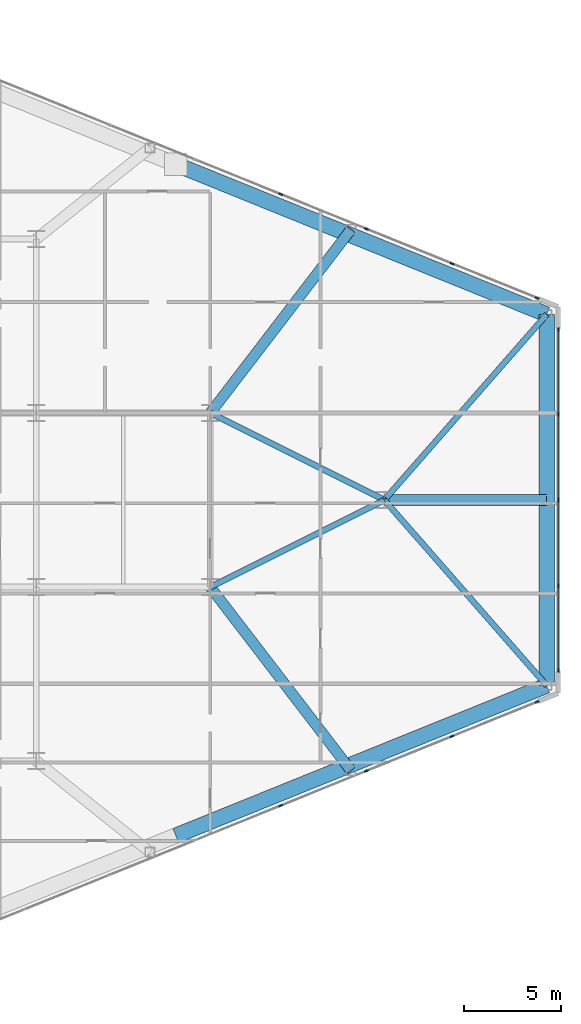
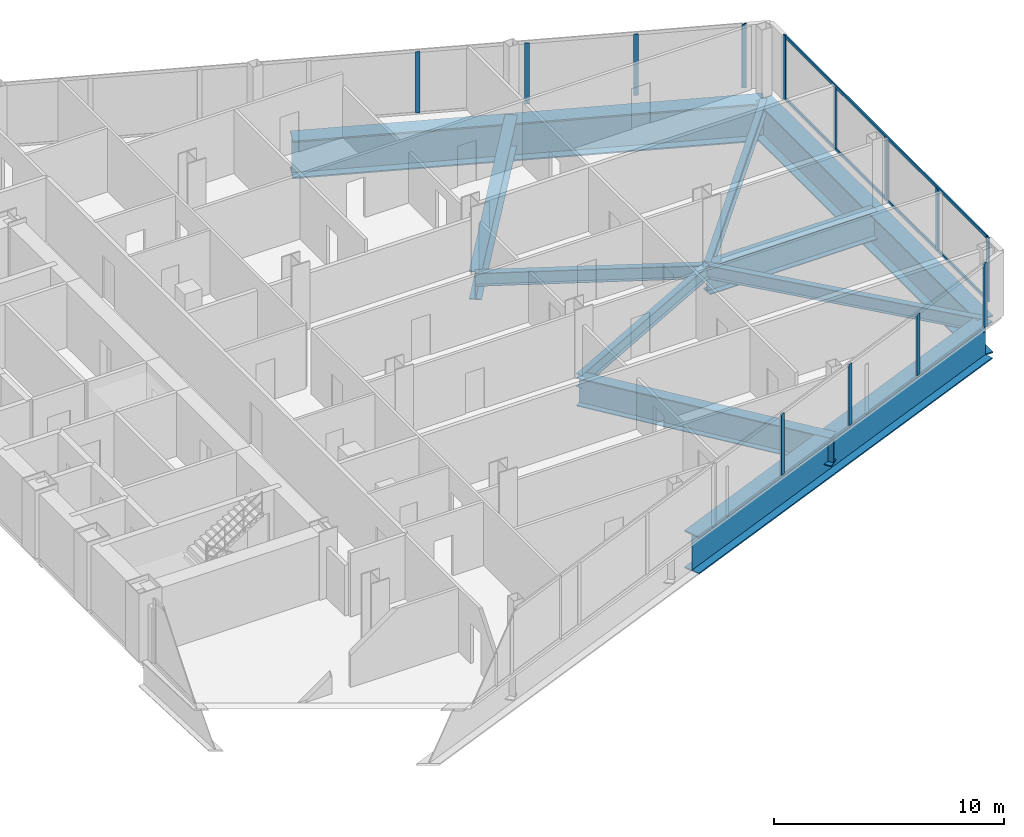
# One storey, part 15 of 26: 15 members, 10 beams, 3 elements without a shape of their own.
"""IFC4 building model written with IfcOpenShell, lengths in metres."""

from ifc_helpers import new_model, si_unit, direction, frame, origin, origin_2d, place, context, subcontext, project, spatial, rectangle, i_section, extrude, source, transform, mapped, material, layer, layer_set, material_profile, profile_set, type_object, type_shapes, element, aggregate, save


model = new_model("IFC4")

# Units and contexts
model_context = context("Model", 3, precision=1e-05, world=origin(), true_north=direction((0.0, 1.0)))
body_context = subcontext(model_context, "Body", "Model", "MODEL_VIEW")
ifc_project = project(units=[si_unit("LENGTHUNIT", "METRE"), si_unit("AREAUNIT", "SQUARE_METRE"), si_unit("VOLUMEUNIT", "CUBIC_METRE"), si_unit("PLANEANGLEUNIT", "RADIAN"), si_unit("MASSUNIT", "GRAM", prefix="KILO")], contexts=[model_context])

# Site, building, storey
site_placement = place(None, origin())
site = spatial("IfcSite", under=ifc_project, at=site_placement, CompositionType="ELEMENT")
building_placement = place(site_placement, origin())
building = spatial("IfcBuilding", under=site, at=building_placement, Name="Seokmaru Belvedere", CompositionType="ELEMENT")
storey_placement = place(building_placement, frame((0.0, 0.0, 18.89990234375)))
storey = spatial("IfcBuildingStorey", under=building, at=storey_placement, Name="L04", CompositionType="ELEMENT", Elevation=18.89990234375)

# Beams
ifc_material_1 = material(Name="Steel SM355 (355 MPa)", Category="steel")
ifc_material_profile_1 = material_profile(ifc_material_1, i_section(OverallWidth=0.300048828125, OverallDepth=0.699951171875, WebThickness=0.012939453125, FlangeThickness=0.02392578125, at=origin_2d()), Name="H-700x300x13x24")
ifc_profile_set_1 = profile_set([ifc_material_profile_1], Name="Steel SM355 (355 MPa)")
beam_type_1 = type_object("IfcBeamType", Name="Primary Floor Girder H-700", PredefinedType="BEAM", material=ifc_profile_set_1)
shared_shape_1 = source(origin(), body_context, "Body", "SweptSolid", [
    extrude(i_section(OverallWidth=0.300048828125, OverallDepth=0.699951171875, WebThickness=0.012939453125, FlangeThickness=0.02392578125, at=origin_2d()), origin(), (0.0, 0.0, 1.0), 10.062255859375),
])
for number, where, z_axis, x_axis, name in (
    (1, (54.5, -4.5, -0.56982421875), (0.894427191, 0.4472135955, 0.0), (-0.4472135955, 0.894427191, 0.0), "L04 E Apex Converging Girder 1"),
    (2, (54.5, 4.5, -0.56982421875), (0.894427191, -0.4472135955, 0.0), (0.4472135955, 0.894427191, 0.0), "L04 E Apex Converging Girder 2"),
):
    element("IfcBeam", number, at=place(storey_placement, frame(where, z_axis=z_axis, x_axis=x_axis)), inside=storey, type_object=beam_type_1, Name=name, PredefinedType="BEAM", context=body_context, shape_type="MappedRepresentation", body=[
        mapped(shared_shape_1, transform((0.0, 0.0, 0.0), scale=1.0)),
    ])
ifc_material_2 = material(Name="Steel HSA650 (650 MPa)", Category="steel")
ifc_material_profile_2 = material_profile(ifc_material_2, i_section(OverallWidth=0.800048828125, OverallDepth=2.0, WebThickness=0.0400390625, FlangeThickness=0.070068359375, at=origin_2d()), Name="BH-2000x800x40x70")
ifc_profile_set_2 = profile_set([ifc_material_profile_2], Name="Steel HSA650 (650 MPa)")
beam_type_2 = type_object("IfcBeamType", Name="Sky-Gate Transfer Truss Chord Girder BH-2000", PredefinedType="BEAM", material=ifc_profile_set_2)
shared_shape_2 = source(origin(), body_context, "Body", "SweptSolid", [
    extrude(i_section(OverallWidth=0.800048828125, OverallDepth=2.0, WebThickness=0.0400390625, FlangeThickness=0.070068359375, at=origin_2d()), origin(), (0.0, 0.0, 1.0), 20.6962890625),
])
for number, where, z_axis, x_axis, name in (
    (3, (52.715576171875, -17.360595703125, -1.219970703125), (0.92695003666, 0.37518479385, 0.0), (-0.37518479385, 0.92695003666, 0.0), "L04 E Podium Flank Transfer Girder S-B"),
    (4, (52.715576171875, 17.360595703125, -1.219970703125), (0.92695003666, -0.37518479385, 0.0), (0.37518479385, 0.92695003666, 0.0), "L04 E Podium Flank Transfer Girder N-B"),
):
    element("IfcBeam", number, at=place(storey_placement, frame(where, z_axis=z_axis, x_axis=x_axis)), inside=storey, type_object=beam_type_2, Name=name, PredefinedType="BEAM", context=body_context, shape_type="MappedRepresentation", body=[
        mapped(shared_shape_2, transform((0.0, 0.0, 0.0), scale=1.0)),
    ])
shared_shape_3 = source(origin(), body_context, "Body", "SweptSolid", [
    extrude(i_section(OverallWidth=0.800048828125, OverallDepth=2.0, WebThickness=0.0400390625, FlangeThickness=0.070068359375, at=origin_2d()), origin(), (0.0, 0.0, 1.0), 19.19140625),
])
type_shapes(beam_type_2, [shared_shape_2, shared_shape_3])
beam_1_placement = place(storey_placement, frame((71.89990234375, -9.595703125, -1.219970703125), z_axis=(0.0, 1.0, 0.0), x_axis=(-1.0, 0.0, 0.0)))
element("IfcBeam", 5, at=beam_1_placement, inside=storey, type_object=beam_type_2, Name="L04 E Podium Apex Transfer Girder", PredefinedType="BEAM", context=body_context, shape_type="MappedRepresentation", body=[
    mapped(shared_shape_3, transform((0.0, 0.0, 0.0), scale=1.0)),
])
ifc_material_profile_3 = material_profile(ifc_material_2, i_section(OverallWidth=0.550048828125, OverallDepth=1.5, WebThickness=0.028076171875, FlangeThickness=0.044921875, at=origin_2d()), Name="BH-1500x550x28x45")
ifc_profile_set_3 = profile_set([ifc_material_profile_3], Name="Steel HSA650 (650 MPa)")
beam_type_3 = type_object("IfcBeamType", Name="Setback Transfer Girder BH-1500", PredefinedType="BEAM", material=ifc_profile_set_3)
shared_shape_4 = source(origin(), body_context, "Body", "SweptSolid", [
    extrude(i_section(OverallWidth=0.550048828125, OverallDepth=1.5, WebThickness=0.028076171875, FlangeThickness=0.044921875, at=origin_2d()), origin(), (0.0, 0.0, 1.0), 11.96337890625),
])
for number, where, z_axis, x_axis, name in (
    (6, (61.779052734375, -13.994140625, -0.969970703125), (-0.608442682624, 0.793597821294, 0.0), (-0.793597821294, -0.608442682624, 0.0), "L04 E Flank Radial Floor Girder S-3"),
    (7, (61.779052734375, 13.994140625, -0.969970703125), (-0.608442682624, -0.793597821294, 0.0), (0.793597821294, -0.608442682624, 0.0), "L04 E Flank Radial Floor Girder N-3"),
):
    element("IfcBeam", number, at=place(storey_placement, frame(where, z_axis=z_axis, x_axis=x_axis)), inside=storey, type_object=beam_type_3, Name=name, PredefinedType="BEAM", context=body_context, shape_type="MappedRepresentation", body=[
        mapped(shared_shape_4, transform((0.0, 0.0, 0.0), scale=1.0)),
    ])
shared_shape_5 = source(origin(), body_context, "Body", "SweptSolid", [
    extrude(i_section(OverallWidth=0.300048828125, OverallDepth=0.699951171875, WebThickness=0.012939453125, FlangeThickness=0.02392578125, at=origin_2d()), origin(), (0.0, 0.0, 1.0), 12.7529296875),
])
type_shapes(beam_type_1, [shared_shape_1, shared_shape_5])
for number, where, z_axis, x_axis, name in (
    (8, (71.89990234375, -9.595703125, -0.56982421875), (-0.658667231479, 0.752434368019, 0.0), (-0.752434368019, -0.658667231479, 0.0), "L04 E Apex Radial Floor Girder 1"),
    (9, (71.89990234375, 9.595703125, -0.56982421875), (-0.658667231479, -0.752434368019, 0.0), (0.752434368019, -0.658667231479, 0.0), "L04 E Apex Radial Floor Girder 2"),
):
    element("IfcBeam", number, at=place(storey_placement, frame(where, z_axis=z_axis, x_axis=x_axis)), inside=storey, type_object=beam_type_1, Name=name, PredefinedType="BEAM", context=body_context, shape_type="MappedRepresentation", body=[
        mapped(shared_shape_5, transform((0.0, 0.0, 0.0), scale=1.0)),
    ])
shared_shape_6 = source(origin(), body_context, "Body", "SweptSolid", [
    extrude(i_section(OverallWidth=0.550048828125, OverallDepth=1.5, WebThickness=0.028076171875, FlangeThickness=0.044921875, at=origin_2d()), origin(), (0.0, 0.0, 1.0), 8.39990234375),
])
type_shapes(beam_type_3, [shared_shape_4, shared_shape_6])
beam_2_placement = place(storey_placement, frame((71.89990234375, 0.0, -0.969970703125), z_axis=(-1.0, 0.0, 0.0), x_axis=(0.0, -1.0, 0.0)))
element("IfcBeam", 10, at=beam_2_placement, inside=storey, type_object=beam_type_3, Name="L04 E Apex Center Radial Girder", PredefinedType="BEAM", context=body_context, shape_type="MappedRepresentation", body=[
    mapped(shared_shape_6, transform((0.0, 0.0, 0.0), scale=1.0)),
])

# Curtain wall, member
ifc_material_3 = material(Name="Bronze Triple Insulating Glass", Category="glass")
ifc_layer = layer(ifc_material_3, 0.2099609375)
ifc_layer_set = layer_set([ifc_layer], Name="Bronze Triple Insulating Glass")
curtain_wall_type = type_object("IfcCurtainWallType", Name="Low-Rise Faceted Crystal Curtain Wall System CW-2", PredefinedType="NOTDEFINED", material=ifc_layer_set)
curtain_wall_1_placement = place(storey_placement, origin())
curtain_wall_1 = element("IfcCurtainWall", 11, at=curtain_wall_1_placement, inside=storey, type_object=curtain_wall_type, Name="L04 Curtain Wall EF1", PredefinedType="NOTDEFINED")
ifc_material_4 = material(Name="Anodised Bronze Aluminium", Category="aluminium")
ifc_material_profile_4 = material_profile(ifc_material_4, rectangle(XDim=0.074951171875, YDim=0.2099609375, at=origin_2d()), Name="CW-M-75x210")
ifc_profile_set_4 = profile_set([ifc_material_profile_4], Name="Anodised Bronze Aluminium")
member_type_1 = type_object("IfcMemberType", Name="Bronze Unitised Mullion 75x210", PredefinedType="MULLION", material=ifc_profile_set_4)
shared_shape_7 = source(origin(), body_context, "Body", "SweptSolid", [
    extrude(rectangle(XDim=0.074951171875, YDim=0.2099609375, at=origin_2d()), origin(), (0.0, 0.0, 1.0), 3.380126953125),
])
member_1_placement = place(storey_placement, frame((71.399169921875, -10.445556640625, 0.0), z_axis=(0.0, 0.0, 1.0), x_axis=(-0.375192321888, 0.926946989637, 0.0)))
member_1 = element("IfcMember", 12, at=member_1_placement, type_object=member_type_1, Name="CW:L04:EF1 Mullion 10", PredefinedType="MULLION", context=body_context, shape_type="MappedRepresentation", body=[
    mapped(shared_shape_7, transform((0.0, 0.0, 0.0), scale=1.0)),
])

# Curtain wall, members
curtain_wall_2_placement = place(storey_placement, origin())
curtain_wall_2 = element("IfcCurtainWall", 13, at=curtain_wall_2_placement, inside=storey, type_object=curtain_wall_type, Name="L04 Curtain Wall EF2", PredefinedType="NOTDEFINED")
member_2_placement = place(storey_placement, frame((72.5, -8.8125, 0.0), z_axis=(0.0, 0.0, 1.0), x_axis=(-1.0, 0.0, 0.0)))
member_2 = element("IfcMember", 14, at=member_2_placement, type_object=member_type_1, Name="CW:L04:EF2 Mullion 1", PredefinedType="MULLION", context=body_context, shape_type="MappedRepresentation", body=[
    mapped(shared_shape_7, transform((0.0, 0.0, 0.0), scale=1.0)),
])
member_3_placement = place(storey_placement, frame((72.5, 8.8125, 0.0), z_axis=(0.0, 0.0, 1.0), x_axis=(-1.0, 0.0, 0.0)))
member_3 = element("IfcMember", 15, at=member_3_placement, type_object=member_type_1, Name="CW:L04:EF2 Mullion 5", PredefinedType="MULLION", context=body_context, shape_type="MappedRepresentation", body=[
    mapped(shared_shape_7, transform((0.0, 0.0, 0.0), scale=1.0)),
])

# Curtain wall, member
curtain_wall_3_placement = place(storey_placement, origin())
curtain_wall_3 = element("IfcCurtainWall", 16, at=curtain_wall_3_placement, inside=storey, type_object=curtain_wall_type, Name="L04 Curtain Wall EF3", PredefinedType="NOTDEFINED")
member_4_placement = place(storey_placement, frame((71.399169921875, 10.445556640625, 0.0), z_axis=(0.0, 0.0, 1.0), x_axis=(-0.375192321888, -0.926946989637, 0.0)))
member_4 = element("IfcMember", 17, at=member_4_placement, type_object=member_type_1, Name="CW:L04:EF3 Mullion 1", PredefinedType="MULLION", context=body_context, shape_type="MappedRepresentation", body=[
    mapped(shared_shape_7, transform((0.0, 0.0, 0.0), scale=1.0)),
])

# Member
shared_shape_8 = source(origin(), body_context, "Body", "SweptSolid", [
    extrude(rectangle(XDim=0.074951171875, YDim=0.2099609375, at=origin_2d()), origin(), (0.0, 0.0, 1.0), 3.239990234375),
])
type_shapes(member_type_1, [shared_shape_7, shared_shape_8])
member_5_placement = place(storey_placement, frame((58.144775390625, -15.810546875, 0.070068359375), z_axis=(0.0, 0.0, 1.0), x_axis=(-0.375192321888, 0.926946989637, 0.0)))
member_5 = element("IfcMember", 18, at=member_5_placement, type_object=member_type_1, Name="CW:L04:EF1 Mullion 7", PredefinedType="MULLION", context=body_context, shape_type="MappedRepresentation", body=[
    mapped(shared_shape_8, transform((0.0, 0.0, 0.0), scale=1.0)),
])

member_6_placement = place(storey_placement, frame((62.574462890625, -14.017578125, 0.070068359375), z_axis=(0.0, 0.0, 1.0), x_axis=(-0.375192321888, 0.926946989637, 0.0)))
member_6 = element("IfcMember", 19, at=member_6_placement, type_object=member_type_1, Name="CW:L04:EF1 Mullion 8", PredefinedType="MULLION", context=body_context, shape_type="MappedRepresentation", body=[
    mapped(shared_shape_8, transform((0.0, 0.0, 0.0), scale=1.0)),
])

member_7_placement = place(storey_placement, frame((67.004150390625, -12.224609375, 0.070068359375), z_axis=(0.0, 0.0, 1.0), x_axis=(-0.375192321888, 0.926946989637, 0.0)))
member_7 = element("IfcMember", 20, at=member_7_placement, type_object=member_type_1, Name="CW:L04:EF1 Mullion 9", PredefinedType="MULLION", context=body_context, shape_type="MappedRepresentation", body=[
    mapped(shared_shape_8, transform((0.0, 0.0, 0.0), scale=1.0)),
])

aggregate(curtain_wall_1, [member_5, member_6, member_7, member_1])

member_8_placement = place(storey_placement, frame((72.5, -4.425048828125, 0.070068359375), z_axis=(0.0, 0.0, 1.0), x_axis=(-1.0, 0.0, 0.0)))
member_8 = element("IfcMember", 21, at=member_8_placement, type_object=member_type_1, Name="CW:L04:EF2 Mullion 2", PredefinedType="MULLION", context=body_context, shape_type="MappedRepresentation", body=[
    mapped(shared_shape_8, transform((0.0, 0.0, 0.0), scale=1.0)),
])

member_9_placement = place(storey_placement, frame((72.5, 0.0, 0.070068359375), z_axis=(0.0, 0.0, 1.0), x_axis=(-1.0, 0.0, 0.0)))
member_9 = element("IfcMember", 22, at=member_9_placement, type_object=member_type_1, Name="CW:L04:EF2 Mullion 3", PredefinedType="MULLION", context=body_context, shape_type="MappedRepresentation", body=[
    mapped(shared_shape_8, transform((0.0, 0.0, 0.0), scale=1.0)),
])

member_10_placement = place(storey_placement, frame((72.5, 4.425048828125, 0.070068359375), z_axis=(0.0, 0.0, 1.0), x_axis=(-1.0, 0.0, 0.0)))
member_10 = element("IfcMember", 23, at=member_10_placement, type_object=member_type_1, Name="CW:L04:EF2 Mullion 4", PredefinedType="MULLION", context=body_context, shape_type="MappedRepresentation", body=[
    mapped(shared_shape_8, transform((0.0, 0.0, 0.0), scale=1.0)),
])

member_11_placement = place(storey_placement, frame((67.004150390625, 12.224609375, 0.070068359375), z_axis=(0.0, 0.0, 1.0), x_axis=(-0.375192321888, -0.926946989637, 0.0)))
member_11 = element("IfcMember", 24, at=member_11_placement, type_object=member_type_1, Name="CW:L04:EF3 Mullion 2", PredefinedType="MULLION", context=body_context, shape_type="MappedRepresentation", body=[
    mapped(shared_shape_8, transform((0.0, 0.0, 0.0), scale=1.0)),
])

member_12_placement = place(storey_placement, frame((62.574462890625, 14.017578125, 0.070068359375), z_axis=(0.0, 0.0, 1.0), x_axis=(-0.375192321888, -0.926946989637, 0.0)))
member_12 = element("IfcMember", 25, at=member_12_placement, type_object=member_type_1, Name="CW:L04:EF3 Mullion 3", PredefinedType="MULLION", context=body_context, shape_type="MappedRepresentation", body=[
    mapped(shared_shape_8, transform((0.0, 0.0, 0.0), scale=1.0)),
])

member_13_placement = place(storey_placement, frame((58.144775390625, 15.810546875, 0.070068359375), z_axis=(0.0, 0.0, 1.0), x_axis=(-0.375192321888, -0.926946989637, 0.0)))
member_13 = element("IfcMember", 26, at=member_13_placement, type_object=member_type_1, Name="CW:L04:EF3 Mullion 4", PredefinedType="MULLION", context=body_context, shape_type="MappedRepresentation", body=[
    mapped(shared_shape_8, transform((0.0, 0.0, 0.0), scale=1.0)),
])

aggregate(curtain_wall_3, [member_4, member_11, member_12, member_13])

ifc_material_profile_5 = material_profile(ifc_material_4, rectangle(XDim=0.070068359375, YDim=0.1650390625, at=origin_2d()), Name="CW-T-70x165")
ifc_profile_set_5 = profile_set([ifc_material_profile_5], Name="Anodised Bronze Aluminium")
member_type_2 = type_object("IfcMemberType", Name="Bronze Unitised Transom 70x165", PredefinedType="USERDEFINED", material=ifc_profile_set_5)
shared_shape_9 = source(origin(), body_context, "Body", "SweptSolid", [
    extrude(rectangle(XDim=0.070068359375, YDim=0.1650390625, at=origin_2d()), origin(), (0.0, 0.0, 1.0), 17.5498046875),
])
type_shapes(member_type_2, [shared_shape_9])
member_14_placement = place(storey_placement, frame((72.5, -8.77490234375, 0.03515625), z_axis=(0.0, 1.0, 0.0), x_axis=(-1.0, 0.0, 0.0)))
member_14 = element("IfcMember", 27, at=member_14_placement, type_object=member_type_2, Name="CW:L04:EF2 Continuous Transom 1", ObjectType="TRANSOM", PredefinedType="USERDEFINED", context=body_context, shape_type="MappedRepresentation", body=[
    mapped(shared_shape_9, transform((0.0, 0.0, 0.0), scale=1.0)),
])

member_15_placement = place(storey_placement, frame((72.5, -8.77490234375, 3.34521484375), z_axis=(0.0, 1.0, 0.0), x_axis=(-1.0, 0.0, 0.0)))
member_15 = element("IfcMember", 28, at=member_15_placement, type_object=member_type_2, Name="CW:L04:EF2 Continuous Transom 2", ObjectType="TRANSOM", PredefinedType="USERDEFINED", context=body_context, shape_type="MappedRepresentation", body=[
    mapped(shared_shape_9, transform((0.0, 0.0, 0.0), scale=1.0)),
])

aggregate(curtain_wall_2, [member_2, member_8, member_9, member_10, member_3, member_14, member_15])

save(model, "model.ifc")
